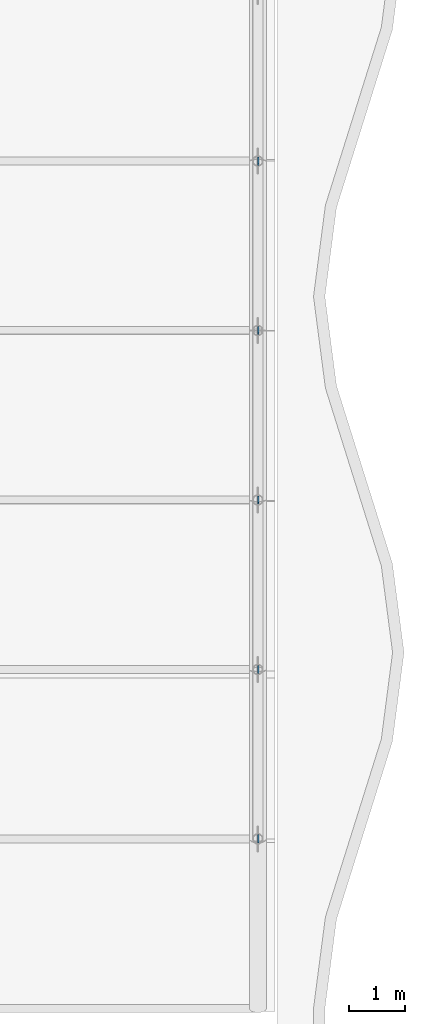
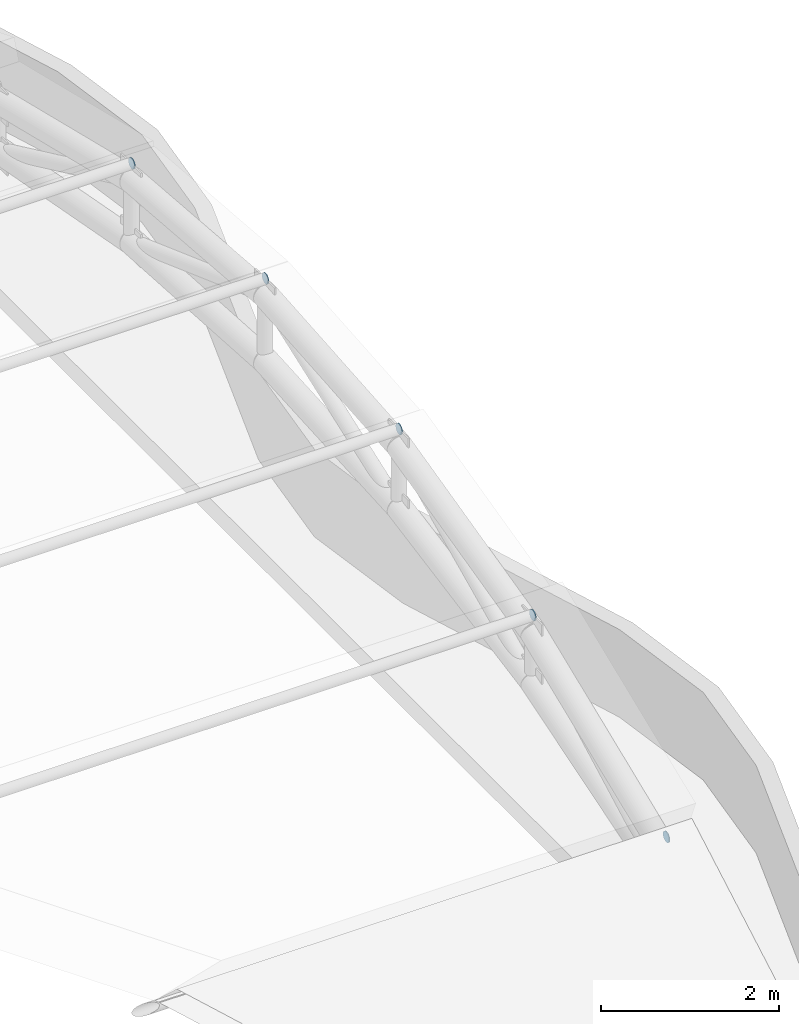
# One storey, part 108 of 163: 5 plates.
"""IFC4 building model written with IfcOpenShell, lengths in metres."""

from ifc_helpers import new_model, si_unit, direction, frame, origin, origin_2d, place, context, subcontext, project, spatial, circle, extrude, material, material_profile, profile_set, type_object, element, save


model = new_model("IFC4")

# Units and contexts
model_context = context("Model", 3, precision=1e-05, world=origin(), true_north=direction((0.0, 1.0)))
body_context = subcontext(model_context, "Body", "Model", "MODEL_VIEW")
ifc_project = project(units=[si_unit("LENGTHUNIT", "METRE"), si_unit("AREAUNIT", "SQUARE_METRE"), si_unit("VOLUMEUNIT", "CUBIC_METRE"), si_unit("PLANEANGLEUNIT", "RADIAN"), si_unit("MASSUNIT", "GRAM", prefix="KILO")], contexts=[model_context])

# Site, building, storey
site_placement = place(None, origin())
site = spatial("IfcSite", under=ifc_project, at=site_placement, CompositionType="ELEMENT")
building_placement = place(site_placement, origin())
building = spatial("IfcBuilding", under=site, at=building_placement, Name="Rain Tree Exposition and Congress Centre", CompositionType="ELEMENT")
storey_placement = place(building_placement, frame((0.0, 0.0, 10.5)))
storey = spatial("IfcBuildingStorey", under=building, at=storey_placement, Name="L02", CompositionType="ELEMENT", Elevation=10.5)

# Plates
ifc_material = material(Name="Steel S355J2", Category="steel")
ifc_material_profile = material_profile(ifc_material, circle(Radius=0.070068359375, at=origin_2d()), Name="CIRCLE 140")
ifc_profile_set = profile_set([ifc_material_profile], Name="Steel S355J2")
plate_type = type_object("IfcPlateType", Name="Purlin end plate 12 CHS 140", PredefinedType="SHEET", material=ifc_profile_set)
for number, where, z_axis, x_axis, name in (
    (1, (268.81201171875, 78.60009765625, 2.056396484375), (-1.0, 0.0, 0.0), (0.0, -1.0, 0.0), "End plate purlin 2.32"),
    (2, (268.81201171875, 81.60009765625, 3.27490234375), (-1.0, 0.0, 0.0), (0.0, -1.0, 0.0), "End plate purlin 3.32"),
    (3, (268.81201171875, 84.60009765625, 4.00634765625), (-1.0, 0.0, 0.0), (0.0, -1.0, 0.0), "End plate purlin 4.32"),
    (4, (268.81201171875, 87.60009765625, 4.25), (-1.0, 0.0, 0.0), (0.0, -1.0, 0.0), "End plate purlin 5.32"),
    (5, (268.81201171875, 90.60009765625, 4.00634765625), (-1.0, 0.0, 0.0), (0.0, -1.0, 0.0), "End plate purlin 6.32"),
):
    element("IfcPlate", number, at=place(storey_placement, frame(where, z_axis=z_axis, x_axis=x_axis)), inside=storey, type_object=plate_type, Name=name, PredefinedType="SHEET", context=body_context, shape_type="SweptSolid", body=[
        extrude(circle(Radius=0.070068359375, at=origin_2d()), origin(), (0.0, 0.0, 1.0), 0.011962890625),
    ])

save(model, "model.ifc")
